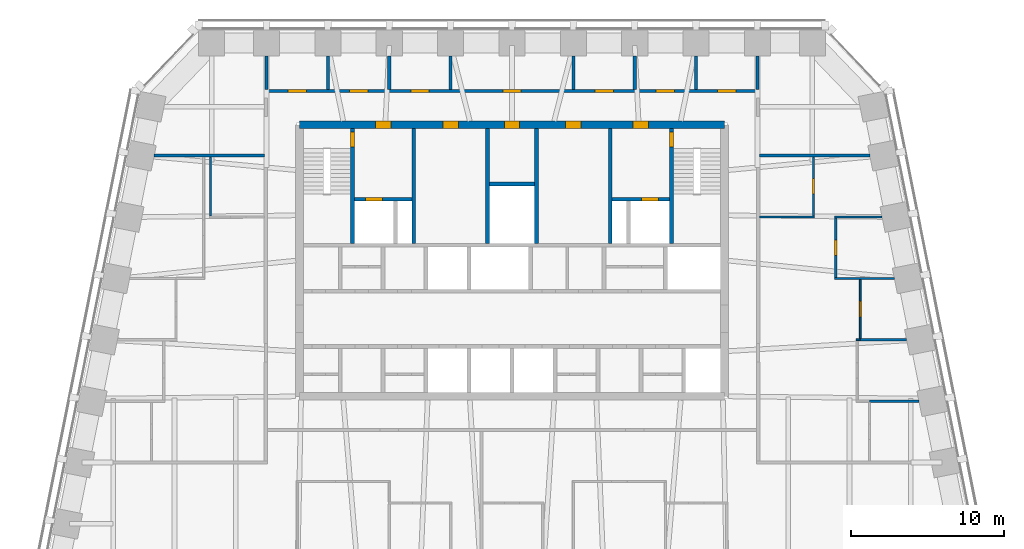
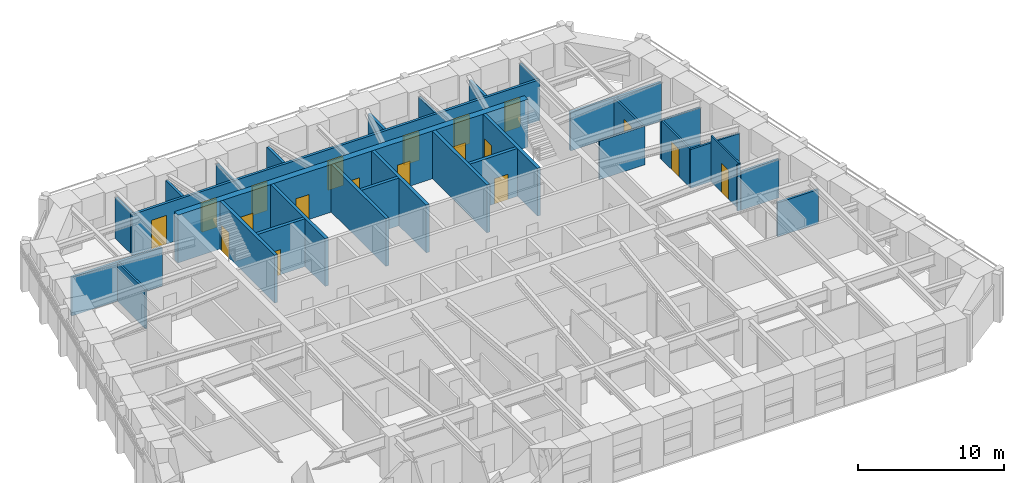
# One storey, part 8 of 11: 31 walls, 19 doors, 19 openings.
"""IFC4 building model written with IfcOpenShell, lengths in metres."""

from ifc_helpers import new_model, si_unit, direction, frame, frame_2d, origin, place, context, subcontext, project, spatial, rectangle, extrude, material, layer, layer_set, type_object, element, fill, save


model = new_model("IFC4")

# Units and contexts
model_context = context("Model", 3, precision=1e-05, world=origin(), true_north=direction((0.0, 1.0)))
body_context = subcontext(model_context, "Body", "Model", "MODEL_VIEW")
ifc_project = project(units=[si_unit("LENGTHUNIT", "METRE"), si_unit("AREAUNIT", "SQUARE_METRE"), si_unit("VOLUMEUNIT", "CUBIC_METRE"), si_unit("PLANEANGLEUNIT", "RADIAN"), si_unit("MASSUNIT", "GRAM", prefix="KILO")], contexts=[model_context])

# Site, building, storey
site_placement = place(None, origin())
site = spatial("IfcSite", under=ifc_project, at=site_placement, CompositionType="ELEMENT")
building_placement = place(site_placement, origin())
building = spatial("IfcBuilding", under=site, at=building_placement, Name="Isbrekke Arena Tower", CompositionType="ELEMENT")
storey_placement = place(building_placement, frame((0.0, 0.0, 264.0)))
storey = spatial("IfcBuildingStorey", under=building, at=storey_placement, Name="L61", CompositionType="ELEMENT", Elevation=264.0)

# Wall, openings, doors
ifc_material_1 = material(Name="Concrete B55 (C55/67)", Category="concrete")
ifc_layer_1 = layer(ifc_material_1, 0.5)
ifc_layer_set_1 = layer_set([ifc_layer_1], Name="CW5 CORE WALL 500")
wall_type_1 = type_object("IfcWallType", Name="CW5 CORE WALL 500", PredefinedType="SHEAR", material=ifc_layer_set_1)
wall_1_placement = place(storey_placement, frame((13.85009765625, 23.85009765625, 0.0), z_axis=(0.0, 0.0, 1.0), x_axis=(-1.0, 0.0, 0.0)))
wall_1 = element("IfcWall", 1, at=wall_1_placement, inside=storey, type_object=wall_type_1, Name="Core wall N L61", PredefinedType="SHEAR", context=body_context, shape_type="SweptSolid", body=[
    extrude(rectangle(XDim=27.7001953125, YDim=0.5, at=frame_2d((13.85009765625, 0.0))), origin(), (0.0, 0.0, 1.0), 4.0),
])
opening_1_placement = place(wall_1_placement, frame((21.75, 0.0, 0.0)))
opening_1 = element("IfcOpeningElement", 2, at=opening_1_placement, cuts=wall_1, Name="Opening D3", PredefinedType="OPENING", context=body_context, shape_type="SweptSolid", body=[
    extrude(rectangle(XDim=1.0, YDim=2.10009765625, at=frame_2d((0.5, 1.050048828125))), frame((0.0, 0.264892578125, 0.0), z_axis=(0.0, -1.0, 0.0), x_axis=(1.0, 0.0, 0.0)), (0.0, 0.0, 1.0), 0.52978515625),
])
opening_2_placement = place(wall_1_placement, frame((4.949951171875, 0.0, 0.0)))
opening_2 = element("IfcOpeningElement", 3, at=opening_2_placement, cuts=wall_1, Name="Opening D3", PredefinedType="OPENING", context=body_context, shape_type="SweptSolid", body=[
    extrude(rectangle(XDim=1.0, YDim=2.10009765625, at=frame_2d((0.5, 1.050048828125))), frame((0.0, 0.264892578125, 0.0), z_axis=(0.0, -1.0, 0.0), x_axis=(1.0, 0.0, 0.0)), (0.0, 0.0, 1.0), 0.52978515625),
])
opening_3_placement = place(wall_1_placement, frame((17.35009765625, 0.0, 0.0)))
opening_3 = element("IfcOpeningElement", 4, at=opening_3_placement, cuts=wall_1, Name="Opening D4", PredefinedType="OPENING", context=body_context, shape_type="SweptSolid", body=[
    extrude(rectangle(XDim=1.0, YDim=2.10009765625, at=frame_2d((0.5, 1.050048828125))), frame((0.0, 0.264892578125, 0.0), z_axis=(0.0, -1.0, 0.0), x_axis=(1.0, 0.0, 0.0)), (0.0, 0.0, 1.0), 0.52978515625),
])
opening_4_placement = place(wall_1_placement, frame((13.35009765625, 0.0, 0.0)))
opening_4 = element("IfcOpeningElement", 5, at=opening_4_placement, cuts=wall_1, Name="Opening D4", PredefinedType="OPENING", context=body_context, shape_type="SweptSolid", body=[
    extrude(rectangle(XDim=1.0, YDim=2.10009765625, at=frame_2d((0.5, 1.050048828125))), frame((0.0, 0.264892578125, 0.0), z_axis=(0.0, -1.0, 0.0), x_axis=(1.0, 0.0, 0.0)), (0.0, 0.0, 1.0), 0.52978515625),
])
opening_5_placement = place(wall_1_placement, frame((9.35009765625, 0.0, 0.0)))
opening_5 = element("IfcOpeningElement", 6, at=opening_5_placement, cuts=wall_1, Name="Opening D4", PredefinedType="OPENING", context=body_context, shape_type="SweptSolid", body=[
    extrude(rectangle(XDim=1.0, YDim=2.10009765625, at=frame_2d((0.5, 1.050048828125))), frame((0.0, 0.264892578125, 0.0), z_axis=(0.0, -1.0, 0.0), x_axis=(1.0, 0.0, 0.0)), (0.0, 0.0, 1.0), 0.52978515625),
])
ifc_material_2 = material(Name="Steel fire door", Category="steel")
door_type_1 = type_object("IfcDoorType", Name="D3 FIRE LOBBY DOOR 1000 x 2100", OperationType="SINGLE_SWING_RIGHT", PredefinedType="DOOR", material=ifc_material_2)
door_1_placement = place(opening_1_placement, origin())
door_1 = element("IfcDoor", 7, at=door_1_placement, inside=storey, type_object=door_type_1, Name="D3 fire-fighting lobby door L61", OperationType="SINGLE_SWING_RIGHT", OverallHeight=2.10009765625, OverallWidth=1.0, PredefinedType="DOOR", context=body_context, shape_type="SweptSolid", body=[
    extrude(rectangle(XDim=1.0, YDim=2.10009765625, at=frame_2d((0.5, 1.050048828125))), frame((0.0, 0.249755859375, 0.0), z_axis=(0.0, -1.0, 0.0), x_axis=(1.0, 0.0, 0.0)), (0.0, 0.0, 1.0), 0.49951171875),
])
fill(opening_1, door_1)
door_2_placement = place(opening_2_placement, origin())
door_2 = element("IfcDoor", 8, at=door_2_placement, inside=storey, type_object=door_type_1, Name="D3 fire-fighting lobby door L61", OperationType="SINGLE_SWING_RIGHT", OverallHeight=2.10009765625, OverallWidth=1.0, PredefinedType="DOOR", context=body_context, shape_type="SweptSolid", body=[
    extrude(rectangle(XDim=1.0, YDim=2.10009765625, at=frame_2d((0.5, 1.050048828125))), frame((0.0, 0.249755859375, 0.0), z_axis=(0.0, -1.0, 0.0), x_axis=(1.0, 0.0, 0.0)), (0.0, 0.0, 1.0), 0.49951171875),
])
fill(opening_2, door_2)
ifc_material_3 = material(Name="Timber door", Category="wood")
door_type_2 = type_object("IfcDoorType", Name="D4 WC DOOR 1000 x 2100", OperationType="SINGLE_SWING_LEFT", PredefinedType="DOOR", material=ifc_material_3)
door_3_placement = place(opening_3_placement, origin())
door_3 = element("IfcDoor", 9, at=door_3_placement, inside=storey, type_object=door_type_2, Name="D4 wc female door L61", OperationType="SINGLE_SWING_LEFT", OverallHeight=2.10009765625, OverallWidth=1.0, PredefinedType="DOOR", context=body_context, shape_type="SweptSolid", body=[
    extrude(rectangle(XDim=1.0, YDim=2.10009765625, at=frame_2d((0.5, 1.050048828125))), frame((0.0, 0.249755859375, 0.0), z_axis=(0.0, -1.0, 0.0), x_axis=(1.0, 0.0, 0.0)), (0.0, 0.0, 1.0), 0.49951171875),
])
fill(opening_3, door_3)
door_4_placement = place(opening_4_placement, origin())
door_4 = element("IfcDoor", 10, at=door_4_placement, inside=storey, type_object=door_type_2, Name="D4 accessible wc door L61", OperationType="SINGLE_SWING_LEFT", OverallHeight=2.10009765625, OverallWidth=1.0, PredefinedType="DOOR", context=body_context, shape_type="SweptSolid", body=[
    extrude(rectangle(XDim=1.0, YDim=2.10009765625, at=frame_2d((0.5, 1.050048828125))), frame((0.0, 0.249755859375, 0.0), z_axis=(0.0, -1.0, 0.0), x_axis=(1.0, 0.0, 0.0)), (0.0, 0.0, 1.0), 0.49951171875),
])
fill(opening_4, door_4)
door_5_placement = place(opening_5_placement, origin())
door_5 = element("IfcDoor", 11, at=door_5_placement, inside=storey, type_object=door_type_2, Name="D4 wc male door L61", OperationType="SINGLE_SWING_LEFT", OverallHeight=2.10009765625, OverallWidth=1.0, PredefinedType="DOOR", context=body_context, shape_type="SweptSolid", body=[
    extrude(rectangle(XDim=1.0, YDim=2.10009765625, at=frame_2d((0.5, 1.050048828125))), frame((0.0, 0.249755859375, 0.0), z_axis=(0.0, -1.0, 0.0), x_axis=(1.0, 0.0, 0.0)), (0.0, 0.0, 1.0), 0.49951171875),
])
fill(opening_5, door_5)

# Wall, opening, door
ifc_material_4 = material(Name="Concrete B45 (C45/55)", Category="concrete")
ifc_layer_2 = layer(ifc_material_4, 0.25)
ifc_layer_set_2 = layer_set([ifc_layer_2], Name="CW6 SHAFT WALL 250")
wall_type_2 = type_object("IfcWallType", Name="CW6 SHAFT WALL 250", PredefinedType="SHEAR", material=ifc_layer_set_2)
wall_2_placement = place(storey_placement, frame((-10.39990234375, 16.125, 0.0), z_axis=(0.0, 0.0, 1.0), x_axis=(0.0, 1.0, 0.0)))
wall_2 = element("IfcWall", 12, at=wall_2_placement, inside=storey, type_object=wall_type_2, Name="Core wall NV01 L61", PredefinedType="SHEAR", context=body_context, shape_type="SweptSolid", body=[
    extrude(rectangle(XDim=7.47509765625, YDim=0.25, at=frame_2d((3.737548828125, 0.0))), origin(), (0.0, 0.0, 1.0), 4.0),
])
opening_6_placement = place(wall_2_placement, frame((6.27490234375, 0.0, 0.0)))
opening_6 = element("IfcOpeningElement", 13, at=opening_6_placement, cuts=wall_2, Name="Opening D2", PredefinedType="OPENING", context=body_context, shape_type="SweptSolid", body=[
    extrude(rectangle(XDim=1.0, YDim=2.10009765625, at=frame_2d((0.5, 1.050048828125))), frame((0.0, 0.139892578125, 0.0), z_axis=(0.0, -1.0, 0.0), x_axis=(1.0, 0.0, 0.0)), (0.0, 0.0, 1.0), 0.27978515625),
])
ifc_material_5 = material(Name="Steel fire door", Category="steel")
door_type_3 = type_object("IfcDoorType", Name="D2 STAIR DOOR 1000 x 2100", OperationType="SINGLE_SWING_LEFT", PredefinedType="DOOR", material=ifc_material_5)
door_6_placement = place(opening_6_placement, origin())
door_6 = element("IfcDoor", 14, at=door_6_placement, inside=storey, type_object=door_type_3, Name="D2 stair door ST1 L61", OperationType="SINGLE_SWING_LEFT", OverallHeight=2.10009765625, OverallWidth=1.0, PredefinedType="DOOR", context=body_context, shape_type="SweptSolid", body=[
    extrude(rectangle(XDim=1.0, YDim=2.10009765625, at=frame_2d((0.5, 1.050048828125))), frame((0.0, 0.124755859375, 0.0), z_axis=(0.0, -1.0, 0.0), x_axis=(1.0, 0.0, 0.0)), (0.0, 0.0, 1.0), 0.24951171875),
])
fill(opening_6, door_6)

# Walls
for number, where, z_axis, x_axis, name in (
    (15, (-6.39990234375, 16.125, 0.0), (0.0, 0.0, 1.0), (0.0, 1.0, 0.0), "Core wall NV02 L61"),
    (16, (-1.60009765625, 16.125, 0.0), (0.0, 0.0, 1.0), (0.0, 1.0, 0.0), "Core wall NV03 L61"),
    (17, (1.60009765625, 16.125, 0.0), (0.0, 0.0, 1.0), (0.0, 1.0, 0.0), "Core wall NV04 L61"),
    (18, (6.39990234375, 16.125, 0.0), (0.0, 0.0, 1.0), (0.0, 1.0, 0.0), "Core wall NV05 L61"),
):
    element("IfcWall", number, at=place(storey_placement, frame(where, z_axis=z_axis, x_axis=x_axis)), inside=storey, type_object=wall_type_2, Name=name, PredefinedType="SHEAR", context=body_context, shape_type="SweptSolid", body=[
        extrude(rectangle(XDim=7.47509765625, YDim=0.25, at=frame_2d((3.737548828125, 0.0))), origin(), (0.0, 0.0, 1.0), 4.0),
    ])

# Wall, opening, door
wall_3_placement = place(storey_placement, frame((10.39990234375, 16.125, 0.0), z_axis=(0.0, 0.0, 1.0), x_axis=(0.0, 1.0, 0.0)))
wall_3 = element("IfcWall", 19, at=wall_3_placement, inside=storey, type_object=wall_type_2, Name="Core wall NV06 L61", PredefinedType="SHEAR", context=body_context, shape_type="SweptSolid", body=[
    extrude(rectangle(XDim=7.47509765625, YDim=0.25, at=frame_2d((3.737548828125, 0.0))), origin(), (0.0, 0.0, 1.0), 4.0),
])
opening_7_placement = place(wall_3_placement, frame((6.27490234375, 0.0, 0.0)))
opening_7 = element("IfcOpeningElement", 20, at=opening_7_placement, cuts=wall_3, Name="Opening D2", PredefinedType="OPENING", context=body_context, shape_type="SweptSolid", body=[
    extrude(rectangle(XDim=1.0, YDim=2.10009765625, at=frame_2d((0.5, 1.050048828125))), frame((0.0, 0.139892578125, 0.0), z_axis=(0.0, -1.0, 0.0), x_axis=(1.0, 0.0, 0.0)), (0.0, 0.0, 1.0), 0.27978515625),
])
door_7_placement = place(opening_7_placement, origin())
door_7 = element("IfcDoor", 21, at=door_7_placement, inside=storey, type_object=door_type_3, Name="D2 stair door ST2 L61", OperationType="SINGLE_SWING_LEFT", OverallHeight=2.10009765625, OverallWidth=1.0, PredefinedType="DOOR", context=body_context, shape_type="SweptSolid", body=[
    extrude(rectangle(XDim=1.0, YDim=2.10009765625, at=frame_2d((0.5, 1.050048828125))), frame((0.0, 0.124755859375, 0.0), z_axis=(0.0, -1.0, 0.0), x_axis=(1.0, 0.0, 0.0)), (0.0, 0.0, 1.0), 0.24951171875),
])
fill(opening_7, door_7)

wall_4_placement = place(storey_placement, frame((-10.27490234375, 19.0, 0.0), z_axis=(0.0, 0.0, 1.0), x_axis=(1.0, 0.0, 0.0)))
wall_4 = element("IfcWall", 22, at=wall_4_placement, inside=storey, type_object=wall_type_2, Name="Core wall NFW L61", PredefinedType="SHEAR", context=body_context, shape_type="SweptSolid", body=[
    extrude(rectangle(XDim=3.75, YDim=0.25, at=frame_2d((1.875, 0.0))), origin(), (0.0, 0.0, 1.0), 4.0),
])
opening_8_placement = place(wall_4_placement, frame((0.72509765625, 0.0, 0.0)))
opening_8 = element("IfcOpeningElement", 23, at=opening_8_placement, cuts=wall_4, Name="Opening LD2", PredefinedType="OPENING", context=body_context, shape_type="SweptSolid", body=[
    extrude(rectangle(XDim=1.10009765625, YDim=2.10009765625, at=frame_2d((0.550048828125, 1.050048828125))), frame((0.0, 0.139892578125, 0.0), z_axis=(0.0, -1.0, 0.0), x_axis=(1.0, 0.0, 0.0)), (0.0, 0.0, 1.0), 0.27978515625),
])
ifc_material_6 = material(Name="Stainless steel lift landing door", Category="steel")
door_type_4 = type_object("IfcDoorType", Name="LD2 FIRE-FIGHTING LIFT LANDING DOOR 1100 x 2100", OperationType="SLIDING_TO_RIGHT", PredefinedType="DOOR", material=ifc_material_6)
door_8_placement = place(opening_8_placement, origin())
door_8 = element("IfcDoor", 24, at=door_8_placement, inside=storey, type_object=door_type_4, Name="LD2 lift landing door LF L61", OperationType="SLIDING_TO_RIGHT", OverallHeight=2.10009765625, OverallWidth=1.10009765625, PredefinedType="DOOR", context=body_context, shape_type="SweptSolid", body=[
    extrude(rectangle(XDim=1.10009765625, YDim=2.10009765625, at=frame_2d((0.550048828125, 1.050048828125))), frame((0.0, 0.124755859375, 0.0), z_axis=(0.0, -1.0, 0.0), x_axis=(1.0, 0.0, 0.0)), (0.0, 0.0, 1.0), 0.24951171875),
])
fill(opening_8, door_8)

wall_5_placement = place(storey_placement, frame((6.52490234375, 19.0, 0.0), z_axis=(0.0, 0.0, 1.0), x_axis=(1.0, 0.0, 0.0)))
wall_5 = element("IfcWall", 25, at=wall_5_placement, inside=storey, type_object=wall_type_2, Name="Core wall NFE L61", PredefinedType="SHEAR", context=body_context, shape_type="SweptSolid", body=[
    extrude(rectangle(XDim=3.75, YDim=0.25, at=frame_2d((1.875, 0.0))), origin(), (0.0, 0.0, 1.0), 4.0),
])
opening_9_placement = place(wall_5_placement, frame((1.925048828125, 0.0, 0.0)))
opening_9 = element("IfcOpeningElement", 26, at=opening_9_placement, cuts=wall_5, Name="Opening LD2", PredefinedType="OPENING", context=body_context, shape_type="SweptSolid", body=[
    extrude(rectangle(XDim=1.10009765625, YDim=2.10009765625, at=frame_2d((0.550048828125, 1.050048828125))), frame((0.0, 0.139892578125, 0.0), z_axis=(0.0, -1.0, 0.0), x_axis=(1.0, 0.0, 0.0)), (0.0, 0.0, 1.0), 0.27978515625),
])
door_9_placement = place(opening_9_placement, origin())
door_9 = element("IfcDoor", 27, at=door_9_placement, inside=storey, type_object=door_type_4, Name="LD2 lift landing door LF L61", OperationType="SLIDING_TO_RIGHT", OverallHeight=2.10009765625, OverallWidth=1.10009765625, PredefinedType="DOOR", context=body_context, shape_type="SweptSolid", body=[
    extrude(rectangle(XDim=1.10009765625, YDim=2.10009765625, at=frame_2d((0.550048828125, 1.050048828125))), frame((0.0, 0.124755859375, 0.0), z_axis=(0.0, -1.0, 0.0), x_axis=(1.0, 0.0, 0.0)), (0.0, 0.0, 1.0), 0.24951171875),
])
fill(opening_9, door_9)

# Walls
wall_6_placement = place(storey_placement, frame((-1.47509765625, 20.0, 0.0), z_axis=(0.0, 0.0, 1.0), x_axis=(1.0, 0.0, 0.0)))
element("IfcWall", 28, at=wall_6_placement, inside=storey, type_object=wall_type_2, Name="Core wall NWC L61", PredefinedType="SHEAR", context=body_context, shape_type="SweptSolid", body=[
    extrude(rectangle(XDim=2.9501953125, YDim=0.25, at=frame_2d((1.47509765625, 0.0))), origin(), (0.0, 0.0, 1.0), 4.0),
])
ifc_material_7 = material(Name="Gypsum board partition on steel studs", Category="steel")
ifc_layer_3 = layer(ifc_material_7, 0.14990234375)
ifc_layer_set_3 = layer_set([ifc_layer_3], Name="IW1 PARTITION 150")
wall_type_3 = type_object("IfcWallType", Name="IW1 PARTITION 150", PredefinedType="PARTITIONING", material=ifc_layer_set_3)
wall_7_placement = place(storey_placement, frame((21.02490234375, 13.840087890625, 0.0), z_axis=(0.0, 0.0, 1.0), x_axis=(1.0, 0.0, 0.0)))
element("IfcWall", 29, at=wall_7_placement, inside=storey, type_object=wall_type_3, Name="IW1 partition 150 L61", PredefinedType="PARTITIONING", context=body_context, shape_type="SweptSolid", body=[
    extrude(rectangle(XDim=3.89892578125, YDim=0.14990234375, at=frame_2d((1.949462890625, 0.0))), origin(), (0.0, 0.0, 1.0), 3.22998046875),
])
wall_8_placement = place(storey_placement, frame((16.14990234375, 17.840087890625, 0.0), z_axis=(0.0, 0.0, 1.0), x_axis=(1.0, 0.0, 0.0)))
element("IfcWall", 30, at=wall_8_placement, inside=storey, type_object=wall_type_3, Name="IW1 partition 150 L61", PredefinedType="PARTITIONING", context=body_context, shape_type="SweptSolid", body=[
    extrude(rectangle(XDim=3.5751953125, YDim=0.14990234375, at=frame_2d((1.78759765625, 0.0))), origin(), (0.0, 0.0, 1.0), 3.22998046875),
])
wall_9_placement = place(storey_placement, frame((21.02490234375, 17.840087890625, 0.0), z_axis=(0.0, 0.0, 1.0), x_axis=(1.0, 0.0, 0.0)))
element("IfcWall", 31, at=wall_9_placement, inside=storey, type_object=wall_type_3, Name="IW1 partition 150 L61", PredefinedType="PARTITIONING", context=body_context, shape_type="SweptSolid", body=[
    extrude(rectangle(XDim=3.098876953125, YDim=0.14990234375, at=frame_2d((1.54931640625, 0.0))), origin(), (0.0, 0.0, 1.0), 3.22998046875),
])
wall_10_placement = place(storey_placement, frame((-19.64990234375, 17.9150390625, 0.0), z_axis=(0.0, 0.0, 1.0), x_axis=(0.0, 1.0, 0.0)))
element("IfcWall", 32, at=wall_10_placement, inside=storey, type_object=wall_type_3, Name="IW1 partition 150 L61", PredefinedType="PARTITIONING", context=body_context, shape_type="SweptSolid", body=[
    extrude(rectangle(XDim=3.824951171875, YDim=0.14990234375, at=frame_2d((1.91259765625, 0.0))), origin(), (0.0, 0.0, 1.0), 3.22998046875),
])

# Wall, opening, door
wall_11_placement = place(storey_placement, frame((19.64990234375, 17.9150390625, 0.0), z_axis=(0.0, 0.0, 1.0), x_axis=(0.0, 1.0, 0.0)))
wall_11 = element("IfcWall", 33, at=wall_11_placement, inside=storey, type_object=wall_type_3, Name="IW1 partition 150 L61", PredefinedType="PARTITIONING", context=body_context, shape_type="SweptSolid", body=[
    extrude(rectangle(XDim=3.824951171875, YDim=0.14990234375, at=frame_2d((1.91259765625, 0.0))), origin(), (0.0, 0.0, 1.0), 3.22998046875),
])
opening_10_placement = place(wall_11_placement, frame((1.425048828125, 0.0, 0.0)))
opening_10 = element("IfcOpeningElement", 34, at=opening_10_placement, cuts=wall_11, Name="Opening D10", PredefinedType="OPENING", context=body_context, shape_type="SweptSolid", body=[
    extrude(rectangle(XDim=1.0, YDim=2.300048828125, at=frame_2d((0.5, 1.14990234375))), frame((0.0, 0.08984375, 0.0), z_axis=(0.0, -1.0, 0.0), x_axis=(1.0, 0.0, 0.0)), (0.0, 0.0, 1.0), 0.1796875),
])
ifc_material_8 = material(Name="Timber door", Category="wood")
door_type_5 = type_object("IfcDoorType", Name="D10 OFFICE DOOR 1000 x 2300", OperationType="SINGLE_SWING_LEFT", PredefinedType="DOOR", material=ifc_material_8)
door_10_placement = place(opening_10_placement, origin())
door_10 = element("IfcDoor", 35, at=door_10_placement, inside=storey, type_object=door_type_5, Name="D10 pantry door L61", OperationType="SINGLE_SWING_LEFT", OverallHeight=2.300048828125, OverallWidth=1.0, PredefinedType="DOOR", context=body_context, shape_type="SweptSolid", body=[
    extrude(rectangle(XDim=1.0, YDim=2.300048828125, at=frame_2d((0.5, 1.14990234375))), frame((0.0, 0.07470703125, 0.0), z_axis=(0.0, -1.0, 0.0), x_axis=(1.0, 0.0, 0.0)), (0.0, 0.0, 1.0), 0.1494140625),
])
fill(opening_10, door_10)

wall_12_placement = place(storey_placement, frame((21.10009765625, 13.9150390625, 0.0), z_axis=(0.0, 0.0, 1.0), x_axis=(0.0, 1.0, 0.0)))
wall_12 = element("IfcWall", 36, at=wall_12_placement, inside=storey, type_object=wall_type_3, Name="IW1 partition 150 L61", PredefinedType="PARTITIONING", context=body_context, shape_type="SweptSolid", body=[
    extrude(rectangle(XDim=3.849853515625, YDim=0.14990234375, at=frame_2d((1.9248046875, 0.0))), origin(), (0.0, 0.0, 1.0), 3.22998046875),
])
opening_11_placement = place(wall_12_placement, frame((1.425048828125, 0.0, 0.0)))
opening_11 = element("IfcOpeningElement", 37, at=opening_11_placement, cuts=wall_12, Name="Opening D10", PredefinedType="OPENING", context=body_context, shape_type="SweptSolid", body=[
    extrude(rectangle(XDim=1.0, YDim=2.300048828125, at=frame_2d((0.5, 1.14990234375))), frame((0.0, 0.08984375, 0.0), z_axis=(0.0, -1.0, 0.0), x_axis=(1.0, 0.0, 0.0)), (0.0, 0.0, 1.0), 0.1796875),
])
door_11_placement = place(opening_11_placement, origin())
door_11 = element("IfcDoor", 38, at=door_11_placement, inside=storey, type_object=door_type_5, Name="D10 office door L61", OperationType="SINGLE_SWING_LEFT", OverallHeight=2.300048828125, OverallWidth=1.0, PredefinedType="DOOR", context=body_context, shape_type="SweptSolid", body=[
    extrude(rectangle(XDim=1.0, YDim=2.300048828125, at=frame_2d((0.5, 1.14990234375))), frame((0.0, 0.07470703125, 0.0), z_axis=(0.0, -1.0, 0.0), x_axis=(1.0, 0.0, 0.0)), (0.0, 0.0, 1.0), 0.1494140625),
])
fill(opening_11, door_11)

# Wall
ifc_material_9 = material(Name="Frameless glazed partition, laminated acoustic glass", Category="glass")
ifc_layer_4 = layer(ifc_material_9, 0.1201171875)
ifc_layer_set_4 = layer_set([ifc_layer_4], Name="IW2 GLAZED PARTITION 120")
wall_type_4 = type_object("IfcWallType", Name="IW2 GLAZED PARTITION 120", PredefinedType="PARTITIONING", material=ifc_layer_set_4)
wall_13_placement = place(storey_placement, frame((22.43994140625, 9.840087890625, 0.0), z_axis=(0.0, 0.0, 1.0), x_axis=(1.0, 0.0, 0.0)))
element("IfcWall", 39, at=wall_13_placement, inside=storey, type_object=wall_type_4, Name="IW2 glazed partition 120 L61", PredefinedType="PARTITIONING", context=body_context, shape_type="SweptSolid", body=[
    extrude(rectangle(XDim=0.260009765625, YDim=0.1201171875, at=frame_2d((0.1298828125, 0.0))), origin(), (0.0, 0.0, 1.0), 3.85009765625),
])

# Wall, opening, door
wall_14_placement = place(storey_placement, frame((22.699951171875, 9.927490234375, 0.0), z_axis=(0.0, 0.0, 1.0), x_axis=(0.0, 1.0, 0.0)))
wall_14 = element("IfcWall", 40, at=wall_14_placement, inside=storey, type_object=wall_type_4, Name="IW2 glazed partition 120 L61", PredefinedType="PARTITIONING", context=body_context, shape_type="SweptSolid", body=[
    extrude(rectangle(XDim=3.83740234375, YDim=0.1201171875, at=frame_2d((1.918701171875, 0.0))), origin(), (0.0, 0.0, 1.0), 3.85009765625),
])
opening_12_placement = place(wall_14_placement, frame((1.41259765625, 0.0, 0.0)))
opening_12 = element("IfcOpeningElement", 41, at=opening_12_placement, cuts=wall_14, Name="Opening D11", PredefinedType="OPENING", context=body_context, shape_type="SweptSolid", body=[
    extrude(rectangle(XDim=1.0, YDim=2.39990234375, at=frame_2d((0.5, 1.199951171875))), frame((0.0, 0.074951171875, 0.0), z_axis=(0.0, -1.0, 0.0), x_axis=(1.0, 0.0, 0.0)), (0.0, 0.0, 1.0), 0.14990234375),
])
ifc_material_10 = material(Name="Frameless glazed door", Category="glass")
door_type_6 = type_object("IfcDoorType", Name="D11 GLAZED MEETING ROOM DOOR 1000 x 2400", OperationType="SINGLE_SWING_RIGHT", PredefinedType="DOOR", material=ifc_material_10)
door_12_placement = place(opening_12_placement, origin())
door_12 = element("IfcDoor", 42, at=door_12_placement, inside=storey, type_object=door_type_6, Name="D11 quiet room door L61", OperationType="SINGLE_SWING_RIGHT", OverallHeight=2.39990234375, OverallWidth=1.0, PredefinedType="DOOR", context=body_context, shape_type="SweptSolid", body=[
    extrude(rectangle(XDim=1.0, YDim=2.39990234375, at=frame_2d((0.5, 1.199951171875))), frame((0.0, 0.059814453125, 0.0), z_axis=(0.0, -1.0, 0.0), x_axis=(1.0, 0.0, 0.0)), (0.0, 0.0, 1.0), 0.11962890625),
])
fill(opening_12, door_12)

# Walls
ifc_material_11 = material(Name="Gypsum board fire-cell wall on steel studs, two layers each side", Category="steel")
ifc_layer_5 = layer(ifc_material_11, 0.199951171875)
ifc_layer_set_5 = layer_set([ifc_layer_5], Name="IW3 FIRE-CELL WALL 200")
wall_type_5 = type_object("IfcWallType", Name="IW3 FIRE-CELL WALL 200", PredefinedType="PARTITIONING", material=ifc_layer_set_5)
for number, where, z_axis, x_axis, name in (
    (43, (-23.32373046875, 21.840087890625, 0.0), (0.0, 0.0, 1.0), (1.0, 0.0, 0.0), "IW3 fire-cell wall 200 L61"),
    (44, (16.14990234375, 21.840087890625, 0.0), (0.0, 0.0, 1.0), (1.0, 0.0, 0.0), "IW3 fire-cell wall 200 L61"),
):
    element("IfcWall", number, at=place(storey_placement, frame(where, z_axis=z_axis, x_axis=x_axis)), inside=storey, type_object=wall_type_5, Name=name, PredefinedType="PARTITIONING", context=body_context, shape_type="SweptSolid", body=[
        extrude(rectangle(XDim=7.173828125, YDim=0.199951171875, at=frame_2d((3.5869140625, 0.0))), origin(), (0.0, 0.0, 1.0), 3.22998046875),
    ])

# Wall, openings, doors
wall_15_placement = place(storey_placement, frame((-16.14990234375, 26.050048828125, 0.0), z_axis=(0.0, 0.0, 1.0), x_axis=(1.0, 0.0, 0.0)))
wall_15 = element("IfcWall", 45, at=wall_15_placement, inside=storey, type_object=wall_type_5, Name="IW3 fire-cell wall 200 L61", PredefinedType="PARTITIONING", context=body_context, shape_type="SweptSolid", body=[
    extrude(rectangle(XDim=32.2998046875, YDim=0.199951171875, at=frame_2d((16.14990234375, 0.0))), origin(), (0.0, 0.0, 1.0), 3.41796875),
])
opening_13_placement = place(wall_15_placement, frame((1.550048828125, 0.0, 0.0)))
opening_13 = element("IfcOpeningElement", 46, at=opening_13_placement, cuts=wall_15, Name="Opening D12", PredefinedType="OPENING", context=body_context, shape_type="SweptSolid", body=[
    extrude(rectangle(XDim=1.199951171875, YDim=2.39990234375, at=frame_2d((0.60009765625, 1.199951171875))), frame((0.0, 0.11474609375, 0.0), z_axis=(0.0, -1.0, 0.0), x_axis=(1.0, 0.0, 0.0)), (0.0, 0.0, 1.0), 0.229736328125),
])
opening_14_placement = place(wall_15_placement, frame((5.550048828125, 0.0, 0.0)))
opening_14 = element("IfcOpeningElement", 47, at=opening_14_placement, cuts=wall_15, Name="Opening D12", PredefinedType="OPENING", context=body_context, shape_type="SweptSolid", body=[
    extrude(rectangle(XDim=1.199951171875, YDim=2.39990234375, at=frame_2d((0.60009765625, 1.199951171875))), frame((0.0, 0.11474609375, 0.0), z_axis=(0.0, -1.0, 0.0), x_axis=(1.0, 0.0, 0.0)), (0.0, 0.0, 1.0), 0.229736328125),
])
opening_15_placement = place(wall_15_placement, frame((9.550048828125, 0.0, 0.0)))
opening_15 = element("IfcOpeningElement", 48, at=opening_15_placement, cuts=wall_15, Name="Opening D12", PredefinedType="OPENING", context=body_context, shape_type="SweptSolid", body=[
    extrude(rectangle(XDim=1.199951171875, YDim=2.39990234375, at=frame_2d((0.60009765625, 1.199951171875))), frame((0.0, 0.11474609375, 0.0), z_axis=(0.0, -1.0, 0.0), x_axis=(1.0, 0.0, 0.0)), (0.0, 0.0, 1.0), 0.229736328125),
])
opening_16_placement = place(wall_15_placement, frame((15.550048828125, 0.0, 0.0)))
opening_16 = element("IfcOpeningElement", 49, at=opening_16_placement, cuts=wall_15, Name="Opening D12", PredefinedType="OPENING", context=body_context, shape_type="SweptSolid", body=[
    extrude(rectangle(XDim=1.199951171875, YDim=2.39990234375, at=frame_2d((0.60009765625, 1.199951171875))), frame((0.0, 0.11474609375, 0.0), z_axis=(0.0, -1.0, 0.0), x_axis=(1.0, 0.0, 0.0)), (0.0, 0.0, 1.0), 0.229736328125),
])
opening_17_placement = place(wall_15_placement, frame((21.550048828125, 0.0, 0.0)))
opening_17 = element("IfcOpeningElement", 50, at=opening_17_placement, cuts=wall_15, Name="Opening D12", PredefinedType="OPENING", context=body_context, shape_type="SweptSolid", body=[
    extrude(rectangle(XDim=1.199951171875, YDim=2.39990234375, at=frame_2d((0.60009765625, 1.199951171875))), frame((0.0, 0.11474609375, 0.0), z_axis=(0.0, -1.0, 0.0), x_axis=(1.0, 0.0, 0.0)), (0.0, 0.0, 1.0), 0.229736328125),
])
opening_18_placement = place(wall_15_placement, frame((25.550048828125, 0.0, 0.0)))
opening_18 = element("IfcOpeningElement", 51, at=opening_18_placement, cuts=wall_15, Name="Opening D12", PredefinedType="OPENING", context=body_context, shape_type="SweptSolid", body=[
    extrude(rectangle(XDim=1.199951171875, YDim=2.39990234375, at=frame_2d((0.60009765625, 1.199951171875))), frame((0.0, 0.11474609375, 0.0), z_axis=(0.0, -1.0, 0.0), x_axis=(1.0, 0.0, 0.0)), (0.0, 0.0, 1.0), 0.229736328125),
])
opening_19_placement = place(wall_15_placement, frame((29.550048828125, 0.0, 0.0)))
opening_19 = element("IfcOpeningElement", 52, at=opening_19_placement, cuts=wall_15, Name="Opening D12", PredefinedType="OPENING", context=body_context, shape_type="SweptSolid", body=[
    extrude(rectangle(XDim=1.199951171875, YDim=2.39990234375, at=frame_2d((0.60009765625, 1.199951171875))), frame((0.0, 0.11474609375, 0.0), z_axis=(0.0, -1.0, 0.0), x_axis=(1.0, 0.0, 0.0)), (0.0, 0.0, 1.0), 0.229736328125),
])
ifc_material_12 = material(Name="Timber fire door with vision panel", Category="wood")
door_type_7 = type_object("IfcDoorType", Name="D12 SUITE ENTRANCE DOOR 1200 x 2400", OperationType="SINGLE_SWING_LEFT", PredefinedType="DOOR", material=ifc_material_12)
door_13_placement = place(opening_13_placement, origin())
door_13 = element("IfcDoor", 53, at=door_13_placement, inside=storey, type_object=door_type_7, Name="D12 suite entrance NB1 door L61", OperationType="SINGLE_SWING_LEFT", OverallHeight=2.39990234375, OverallWidth=1.199951171875, PredefinedType="DOOR", context=body_context, shape_type="SweptSolid", body=[
    extrude(rectangle(XDim=1.199951171875, YDim=2.39990234375, at=frame_2d((0.60009765625, 1.199951171875))), frame((0.0, 0.099609375, 0.0), z_axis=(0.0, -1.0, 0.0), x_axis=(1.0, 0.0, 0.0)), (0.0, 0.0, 1.0), 0.199462890625),
])
fill(opening_13, door_13)
door_14_placement = place(opening_14_placement, origin())
door_14 = element("IfcDoor", 54, at=door_14_placement, inside=storey, type_object=door_type_7, Name="D12 suite entrance NB2 door L61", OperationType="SINGLE_SWING_LEFT", OverallHeight=2.39990234375, OverallWidth=1.199951171875, PredefinedType="DOOR", context=body_context, shape_type="SweptSolid", body=[
    extrude(rectangle(XDim=1.199951171875, YDim=2.39990234375, at=frame_2d((0.60009765625, 1.199951171875))), frame((0.0, 0.099609375, 0.0), z_axis=(0.0, -1.0, 0.0), x_axis=(1.0, 0.0, 0.0)), (0.0, 0.0, 1.0), 0.199462890625),
])
fill(opening_14, door_14)
door_15_placement = place(opening_15_placement, origin())
door_15 = element("IfcDoor", 55, at=door_15_placement, inside=storey, type_object=door_type_7, Name="D12 suite entrance NB3 door L61", OperationType="SINGLE_SWING_LEFT", OverallHeight=2.39990234375, OverallWidth=1.199951171875, PredefinedType="DOOR", context=body_context, shape_type="SweptSolid", body=[
    extrude(rectangle(XDim=1.199951171875, YDim=2.39990234375, at=frame_2d((0.60009765625, 1.199951171875))), frame((0.0, 0.099609375, 0.0), z_axis=(0.0, -1.0, 0.0), x_axis=(1.0, 0.0, 0.0)), (0.0, 0.0, 1.0), 0.199462890625),
])
fill(opening_15, door_15)
door_16_placement = place(opening_16_placement, origin())
door_16 = element("IfcDoor", 56, at=door_16_placement, inside=storey, type_object=door_type_7, Name="D12 suite entrance NB4 door L61", OperationType="SINGLE_SWING_LEFT", OverallHeight=2.39990234375, OverallWidth=1.199951171875, PredefinedType="DOOR", context=body_context, shape_type="SweptSolid", body=[
    extrude(rectangle(XDim=1.199951171875, YDim=2.39990234375, at=frame_2d((0.60009765625, 1.199951171875))), frame((0.0, 0.099609375, 0.0), z_axis=(0.0, -1.0, 0.0), x_axis=(1.0, 0.0, 0.0)), (0.0, 0.0, 1.0), 0.199462890625),
])
fill(opening_16, door_16)
door_17_placement = place(opening_17_placement, origin())
door_17 = element("IfcDoor", 57, at=door_17_placement, inside=storey, type_object=door_type_7, Name="D12 suite entrance NB5 door L61", OperationType="SINGLE_SWING_LEFT", OverallHeight=2.39990234375, OverallWidth=1.199951171875, PredefinedType="DOOR", context=body_context, shape_type="SweptSolid", body=[
    extrude(rectangle(XDim=1.199951171875, YDim=2.39990234375, at=frame_2d((0.60009765625, 1.199951171875))), frame((0.0, 0.099609375, 0.0), z_axis=(0.0, -1.0, 0.0), x_axis=(1.0, 0.0, 0.0)), (0.0, 0.0, 1.0), 0.199462890625),
])
fill(opening_17, door_17)
door_18_placement = place(opening_18_placement, origin())
door_18 = element("IfcDoor", 58, at=door_18_placement, inside=storey, type_object=door_type_7, Name="D12 suite entrance NB6 door L61", OperationType="SINGLE_SWING_LEFT", OverallHeight=2.39990234375, OverallWidth=1.199951171875, PredefinedType="DOOR", context=body_context, shape_type="SweptSolid", body=[
    extrude(rectangle(XDim=1.199951171875, YDim=2.39990234375, at=frame_2d((0.60009765625, 1.199951171875))), frame((0.0, 0.099609375, 0.0), z_axis=(0.0, -1.0, 0.0), x_axis=(1.0, 0.0, 0.0)), (0.0, 0.0, 1.0), 0.199462890625),
])
fill(opening_18, door_18)
door_19_placement = place(opening_19_placement, origin())
door_19 = element("IfcDoor", 59, at=door_19_placement, inside=storey, type_object=door_type_7, Name="D12 suite entrance NB7 door L61", OperationType="SINGLE_SWING_LEFT", OverallHeight=2.39990234375, OverallWidth=1.199951171875, PredefinedType="DOOR", context=body_context, shape_type="SweptSolid", body=[
    extrude(rectangle(XDim=1.199951171875, YDim=2.39990234375, at=frame_2d((0.60009765625, 1.199951171875))), frame((0.0, 0.099609375, 0.0), z_axis=(0.0, -1.0, 0.0), x_axis=(1.0, 0.0, 0.0)), (0.0, 0.0, 1.0), 0.199462890625),
])
fill(opening_19, door_19)

# Walls
for number, where, z_axis, x_axis, name in (
    (60, (-16.0, 26.14990234375, 0.0), (0.0, 0.0, 1.0), (0.0, 1.0, 0.0), "IW3 fire-cell wall 200 L61"),
    (61, (-12.0, 26.14990234375, 0.0), (0.0, 0.0, 1.0), (0.0, 1.0, 0.0), "IW3 fire-cell wall 200 L61"),
    (62, (-8.0, 26.14990234375, 0.0), (0.0, 0.0, 1.0), (0.0, 1.0, 0.0), "IW3 fire-cell wall 200 L61"),
    (63, (-4.0, 26.14990234375, 0.0), (0.0, 0.0, 1.0), (0.0, 1.0, 0.0), "IW3 fire-cell wall 200 L61"),
    (64, (4.0, 26.14990234375, 0.0), (0.0, 0.0, 1.0), (0.0, 1.0, 0.0), "IW3 fire-cell wall 200 L61"),
    (65, (8.0, 26.14990234375, 0.0), (0.0, 0.0, 1.0), (0.0, 1.0, 0.0), "IW3 fire-cell wall 200 L61"),
    (66, (12.0, 26.14990234375, 0.0), (0.0, 0.0, 1.0), (0.0, 1.0, 0.0), "IW3 fire-cell wall 200 L61"),
    (67, (16.0, 26.14990234375, 0.0), (0.0, 0.0, 1.0), (0.0, 1.0, 0.0), "IW3 fire-cell wall 200 L61"),
):
    element("IfcWall", number, at=place(storey_placement, frame(where, z_axis=z_axis, x_axis=x_axis)), inside=storey, type_object=wall_type_5, Name=name, PredefinedType="PARTITIONING", context=body_context, shape_type="SweptSolid", body=[
        extrude(rectangle(XDim=2.175048828125, YDim=0.199951171875, at=frame_2d((1.08740234375, 0.0))), origin(), (0.0, 0.0, 1.0), 3.41796875),
    ])
ifc_material_13 = material(Name="Gypsum board acoustic partition on twin steel studs", Category="steel")
ifc_layer_6 = layer(ifc_material_13, 0.175048828125)
ifc_layer_set_6 = layer_set([ifc_layer_6], Name="IW4 ACOUSTIC PARTITION 175")
wall_type_6 = type_object("IfcWallType", Name="IW4 ACOUSTIC PARTITION 175", PredefinedType="PARTITIONING", material=ifc_layer_set_6)
wall_16_placement = place(storey_placement, frame((23.300048828125, 5.840087890625, 0.0), z_axis=(0.0, 0.0, 1.0), x_axis=(1.0, 0.0, 0.0)))
element("IfcWall", 68, at=wall_16_placement, inside=storey, type_object=wall_type_6, Name="IW4 acoustic partition 175 L61", PredefinedType="PARTITIONING", context=body_context, shape_type="SweptSolid", body=[
    extrude(rectangle(XDim=3.2236328125, YDim=0.175048828125, at=frame_2d((1.61181640625, 0.0))), origin(), (0.0, 0.0, 1.0), 2.842041015625),
])
wall_17_placement = place(storey_placement, frame((22.699951171875, 9.840087890625, 0.0), z_axis=(0.0, 0.0, 1.0), x_axis=(1.0, 0.0, 0.0)))
element("IfcWall", 69, at=wall_17_placement, inside=storey, type_object=wall_type_6, Name="IW4 acoustic partition 175 L61", PredefinedType="PARTITIONING", context=body_context, shape_type="SweptSolid", body=[
    extrude(rectangle(XDim=3.02392578125, YDim=0.175048828125, at=frame_2d((1.511962890625, 0.0))), origin(), (0.0, 0.0, 1.0), 3.22998046875),
])

save(model, "model.ifc")
